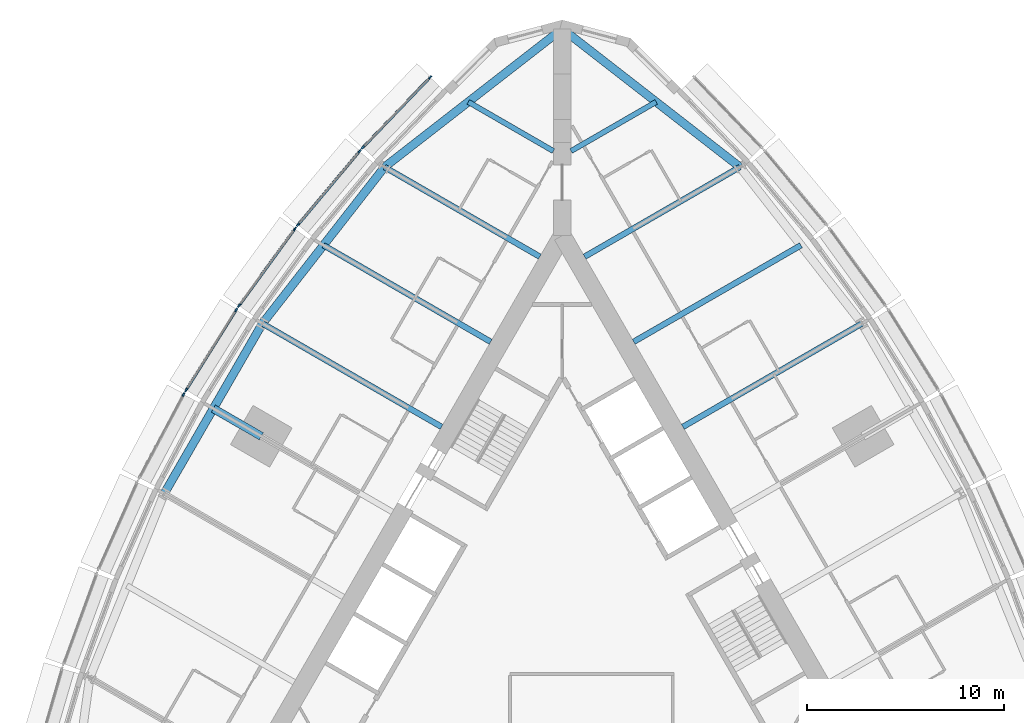
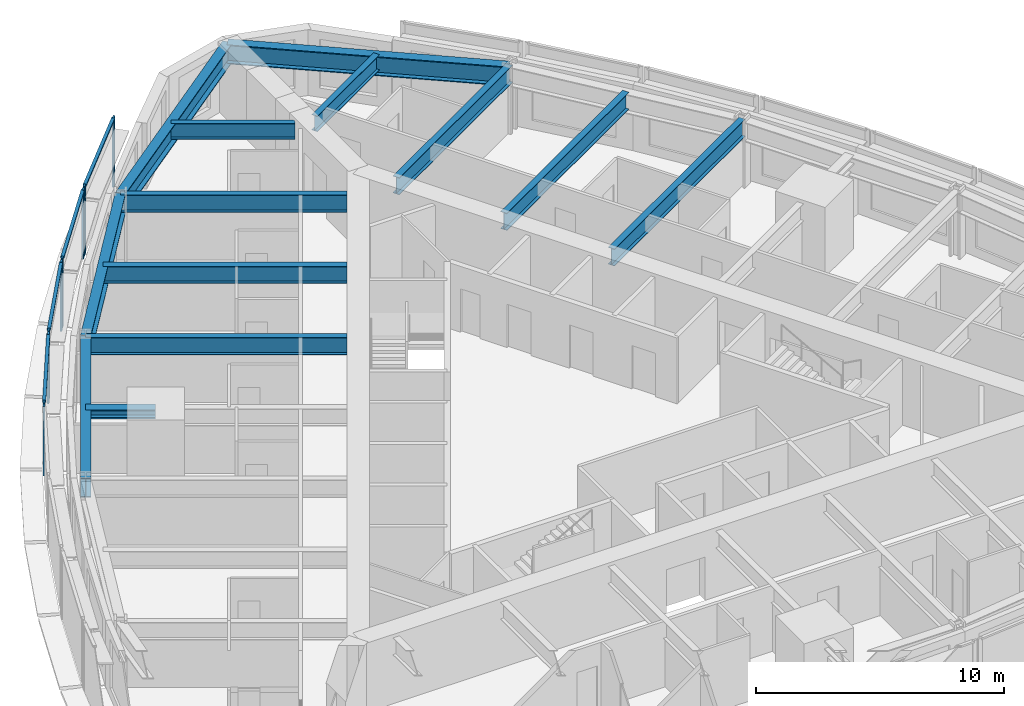
# One storey, part 4 of 14: 13 beams, 13 members, 5 elements without a shape of their own.
"""IFC4 building model written with IfcOpenShell, lengths in metres."""

from ifc_helpers import new_model, si_unit, direction, frame, origin, origin_2d, place, context, subcontext, project, spatial, rectangle, i_section, extrude, material, material_profile, profile_set, type_object, element, aggregate, save


model = new_model("IFC4")

# Units and contexts
model_context = context("Model", 3, precision=1e-05, world=origin(), true_north=direction((0.0, 1.0)))
body_context = subcontext(model_context, "Body", "Model", "MODEL_VIEW")
ifc_project = project(units=[si_unit("LENGTHUNIT", "METRE"), si_unit("AREAUNIT", "SQUARE_METRE"), si_unit("VOLUMEUNIT", "CUBIC_METRE"), si_unit("PLANEANGLEUNIT", "RADIAN"), si_unit("MASSUNIT", "GRAM", prefix="KILO")], contexts=[model_context])

# Site, building, storey
site_placement = place(None, origin())
site = spatial("IfcSite", under=ifc_project, at=site_placement, CompositionType="ELEMENT")
building_placement = place(site_placement, origin())
building = spatial("IfcBuilding", under=site, at=building_placement, Name="Trikona Tower", CompositionType="ELEMENT")
storey_placement = place(building_placement, frame((0.0, 0.0, 131.699951171875)))
storey = spatial("IfcBuildingStorey", under=building, at=storey_placement, Name="L34", CompositionType="ELEMENT", Elevation=131.699951171875)

# Curtain wall, members
ifc_material_1 = material(Name="Aluminium curtain wall system", Category="aluminium")
curtain_wall_type = type_object("IfcCurtainWallType", Name="Curtain wall DS2", PredefinedType="NOTDEFINED", material=ifc_material_1)
curtain_wall_1_placement = place(storey_placement, origin())
curtain_wall_1 = element("IfcCurtainWall", 1, at=curtain_wall_1_placement, inside=storey, type_object=curtain_wall_type, Name="Curtain wall DS2 L34", PredefinedType="NOTDEFINED")
ifc_material_2 = material(Name="Aluminium mullion, pale anodised", Category="aluminium")
ifc_material_profile_1 = material_profile(ifc_material_2, rectangle(XDim=0.080078125, YDim=0.199951171875, at=origin_2d()), Name="MUL-DS2")
ifc_profile_set_1 = profile_set([ifc_material_profile_1], Name="Aluminium mullion, pale anodised")
member_type_1 = type_object("IfcMemberType", Name="Mullion DS2 80x200", PredefinedType="MULLION", material=ifc_profile_set_1)
member_1_placement = place(storey_placement, frame((-6.718994140625, 27.1083984375, 0.0), z_axis=(0.0, 0.0, 1.0), x_axis=(0.722158330767, -0.691727797117, 0.0)))
member_1 = element("IfcMember", 2, at=member_1_placement, type_object=member_type_1, Name="CW-DS2 mullion 1", PredefinedType="MULLION", context=body_context, shape_type="SweptSolid", body=[
    extrude(rectangle(XDim=0.080078125, YDim=0.199951171875, at=origin_2d()), origin(), (0.0, 0.0, 1.0), 3.400146484375),
])
member_2_placement = place(storey_placement, frame((-10.1416015625, 23.535400390625, 0.0), z_axis=(0.0, 0.0, 1.0), x_axis=(0.722158330767, -0.691727797117, 0.0)))
member_2 = element("IfcMember", 3, at=member_2_placement, type_object=member_type_1, Name="CW-DS2 mullion 2", PredefinedType="MULLION", context=body_context, shape_type="SweptSolid", body=[
    extrude(rectangle(XDim=0.080078125, YDim=0.199951171875, at=origin_2d()), origin(), (0.0, 0.0, 1.0), 3.400146484375),
])

curtain_wall_2_placement = place(storey_placement, origin())
curtain_wall_2 = element("IfcCurtainWall", 4, at=curtain_wall_2_placement, inside=storey, type_object=curtain_wall_type, Name="Curtain wall DS2 L34", PredefinedType="NOTDEFINED")
member_3_placement = place(storey_placement, frame((-10.315185546875, 23.34130859375, 0.0), z_axis=(0.0, 0.0, 1.0), x_axis=(0.766866678271, -0.641806433248, 0.0)))
member_3 = element("IfcMember", 5, at=member_3_placement, type_object=member_type_1, Name="CW-DS2 mullion 1", PredefinedType="MULLION", context=body_context, shape_type="SweptSolid", body=[
    extrude(rectangle(XDim=0.080078125, YDim=0.199951171875, at=origin_2d()), origin(), (0.0, 0.0, 1.0), 3.400146484375),
])
member_4_placement = place(storey_placement, frame((-13.44482421875, 19.602294921875, 0.0), z_axis=(0.0, 0.0, 1.0), x_axis=(0.766866678271, -0.641806433248, 0.0)))
member_4 = element("IfcMember", 6, at=member_4_placement, type_object=member_type_1, Name="CW-DS2 mullion 2", PredefinedType="MULLION", context=body_context, shape_type="SweptSolid", body=[
    extrude(rectangle(XDim=0.080078125, YDim=0.199951171875, at=origin_2d()), origin(), (0.0, 0.0, 1.0), 3.400146484375),
])

curtain_wall_3_placement = place(storey_placement, origin())
curtain_wall_3 = element("IfcCurtainWall", 7, at=curtain_wall_3_placement, inside=storey, type_object=curtain_wall_type, Name="Curtain wall DS2 L34", PredefinedType="NOTDEFINED")
member_5_placement = place(storey_placement, frame((-13.605712890625, 19.39599609375, 0.0), z_axis=(0.0, 0.0, 1.0), x_axis=(0.80908576332, -0.587690588313, 0.0)))
member_5 = element("IfcMember", 8, at=member_5_placement, type_object=member_type_1, Name="CW-DS2 mullion 1", PredefinedType="MULLION", context=body_context, shape_type="SweptSolid", body=[
    extrude(rectangle(XDim=0.080078125, YDim=0.199951171875, at=origin_2d()), origin(), (0.0, 0.0, 1.0), 3.400146484375),
])
member_6_placement = place(storey_placement, frame((-16.442626953125, 15.489990234375, 0.0), z_axis=(0.0, 0.0, 1.0), x_axis=(0.80908576332, -0.587690588313, 0.0)))
member_6 = element("IfcMember", 9, at=member_6_placement, type_object=member_type_1, Name="CW-DS2 mullion 2", PredefinedType="MULLION", context=body_context, shape_type="SweptSolid", body=[
    extrude(rectangle(XDim=0.080078125, YDim=0.199951171875, at=origin_2d()), origin(), (0.0, 0.0, 1.0), 3.400146484375),
])

curtain_wall_4_placement = place(storey_placement, origin())
curtain_wall_4 = element("IfcCurtainWall", 10, at=curtain_wall_4_placement, inside=storey, type_object=curtain_wall_type, Name="Curtain wall DS2 L34", PredefinedType="NOTDEFINED")
member_7_placement = place(storey_placement, frame((-16.589599609375, 15.2724609375, 0.0), z_axis=(0.0, 0.0, 1.0), x_axis=(0.847998304006, -0.529998940002, 0.0)))
member_7 = element("IfcMember", 11, at=member_7_placement, type_object=member_type_1, Name="CW-DS2 mullion 1", PredefinedType="MULLION", context=body_context, shape_type="SweptSolid", body=[
    extrude(rectangle(XDim=0.080078125, YDim=0.199951171875, at=origin_2d()), origin(), (0.0, 0.0, 1.0), 3.400146484375),
])
member_8_placement = place(storey_placement, frame((-19.135009765625, 11.199462890625, 0.0), z_axis=(0.0, 0.0, 1.0), x_axis=(0.847998304006, -0.529998940002, 0.0)))
member_8 = element("IfcMember", 12, at=member_8_placement, type_object=member_type_1, Name="CW-DS2 mullion 2", PredefinedType="MULLION", context=body_context, shape_type="SweptSolid", body=[
    extrude(rectangle(XDim=0.080078125, YDim=0.199951171875, at=origin_2d()), origin(), (0.0, 0.0, 1.0), 3.400146484375),
])

# Curtain wall, member
curtain_wall_5_placement = place(storey_placement, origin())
curtain_wall_5 = element("IfcCurtainWall", 13, at=curtain_wall_5_placement, inside=storey, type_object=curtain_wall_type, Name="Curtain wall DS2 L34", PredefinedType="NOTDEFINED")
member_9_placement = place(storey_placement, frame((-19.2666015625, 10.9716796875, 0.0), z_axis=(0.0, 0.0, 1.0), x_axis=(0.882996107343, -0.469380308937, 0.0)))
member_9 = element("IfcMember", 14, at=member_9_placement, type_object=member_type_1, Name="CW-DS2 mullion 1", PredefinedType="MULLION", context=body_context, shape_type="SweptSolid", body=[
    extrude(rectangle(XDim=0.080078125, YDim=0.199951171875, at=origin_2d()), origin(), (0.0, 0.0, 1.0), 3.400146484375),
])
aggregate(curtain_wall_5, [member_9])

# Beams
ifc_material_3 = material(Name="Steel ASTM A992 Grade 50", Category="steel")
ifc_material_profile_2 = material_profile(ifc_material_3, i_section(OverallWidth=0.419189453125, OverallDepth=0.45458984375, WebThickness=0.042236328125, FlangeThickness=0.067626953125, at=origin_2d()), Name="W14X370")
ifc_profile_set_2 = profile_set([ifc_material_profile_2], Name="Steel ASTM A992 Grade 50")
beam_type_1 = type_object("IfcBeamType", Name="Steel beam W14x370 (apex bracket)", PredefinedType="BEAM", material=ifc_profile_set_2)
beam_1_placement = place(storey_placement, frame((-15.311767578125, 8.84033203125, 3.0078125), z_axis=(-0.86605005072, 0.499957307824, 0.0), x_axis=(-0.499957307824, -0.86605005072, 0.0)))
element("IfcBeam", 15, at=beam_1_placement, inside=storey, type_object=beam_type_1, Name="Cantilever bracket L35 F3", PredefinedType="BEAM", context=body_context, shape_type="SweptSolid", body=[
    extrude(i_section(OverallWidth=0.419189453125, OverallDepth=0.45458984375, WebThickness=0.042236328125, FlangeThickness=0.067626953125, at=origin_2d()), origin(), (0.0, 0.0, 1.0), 2.819580078125),
])
ifc_material_4 = material(Name="Steel ASTM A992 Grade 50", Category="steel")
ifc_material_profile_3 = material_profile(ifc_material_4, i_section(OverallWidth=0.2666015625, OverallDepth=0.76953125, WebThickness=0.015625, FlangeThickness=0.025390625, at=origin_2d()), Name="W30X132")
ifc_profile_set_3 = profile_set([ifc_material_profile_3], Name="Steel ASTM A992 Grade 50")
beam_type_2 = type_object("IfcBeamType", Name="Steel beam W30x132 (wedge)", PredefinedType="BEAM", material=ifc_profile_set_3)
for number, where, z_axis, x_axis, name in (
    (16, (0.449951171875, 23.353759765625, 2.850341796875), (0.866038434829, 0.49997742889, 0.0), (-0.49997742889, 0.866038434829, 0.0), "Floor beam L35 F2 u20"),
    (17, (-0.449951171875, 23.353759765625, 2.850341796875), (-0.866038434829, 0.49997742889, 0.0), (-0.49997742889, -0.866038434829, 0.0), "Floor beam L35 F3 u-20"),
):
    element("IfcBeam", number, at=place(storey_placement, frame(where, z_axis=z_axis, x_axis=x_axis)), inside=storey, type_object=beam_type_2, Name=name, PredefinedType="BEAM", context=body_context, shape_type="SweptSolid", body=[
        extrude(i_section(OverallWidth=0.2666015625, OverallDepth=0.76953125, WebThickness=0.015625, FlangeThickness=0.025390625, at=origin_2d()), origin(), (0.0, 0.0, 1.0), 5.000732421875),
    ])
ifc_material_5 = material(Name="Steel ASTM A992 Grade 50", Category="steel")
ifc_material_profile_4 = material_profile(ifc_material_5, i_section(OverallWidth=0.2919921875, OverallDepth=0.845703125, WebThickness=0.015380859375, FlangeThickness=0.0244140625, at=origin_2d()), Name="W33X141")
ifc_profile_set_4 = profile_set([ifc_material_profile_4], Name="Steel ASTM A992 Grade 50")
beam_type_3 = type_object("IfcBeamType", Name="Steel beam W33x141 (radial typ)", PredefinedType="BEAM", material=ifc_profile_set_4)
beam_2_placement = place(storey_placement, frame((6.1396484375, 9.318359375, 2.812255859375), z_axis=(0.866036080828, 0.499981506362, 0.0), x_axis=(-0.499981506362, 0.866036080828, 0.0)))
element("IfcBeam", 18, at=beam_2_placement, inside=storey, type_object=beam_type_3, Name="Floor beam L35 F2 u5", PredefinedType="BEAM", context=body_context, shape_type="SweptSolid", body=[
    extrude(i_section(OverallWidth=0.2919921875, OverallDepth=0.845703125, WebThickness=0.015380859375, FlangeThickness=0.0244140625, at=origin_2d()), origin(), (0.0, 0.0, 1.0), 10.52392578125),
])
beam_3_placement = place(storey_placement, frame((3.6396484375, 13.6484375, 2.812255859375), z_axis=(0.866030807744, 0.499990639951, 0.0), x_axis=(-0.499990639951, 0.866030807744, 0.0)))
element("IfcBeam", 19, at=beam_3_placement, inside=storey, type_object=beam_type_3, Name="Floor beam L35 F2 u10", PredefinedType="BEAM", context=body_context, shape_type="SweptSolid", body=[
    extrude(i_section(OverallWidth=0.2919921875, OverallDepth=0.845703125, WebThickness=0.015380859375, FlangeThickness=0.0244140625, at=origin_2d()), origin(), (0.0, 0.0, 1.0), 9.823974609375),
])
for number, where, z_axis, x_axis, name in (
    (20, (1.1396484375, 17.978515625, 2.812255859375), (0.866024725532, 0.500001174766, 0.0), (-0.500001174766, 0.866024725532, 0.0), "Floor beam L35 F2 u15"),
    (21, (-1.1396484375, 17.978515625, 2.812255859375), (-0.866024725532, 0.500001174766, 0.0), (-0.500001174766, -0.866024725532, 0.0), "Floor beam L35 F3 u-15"),
):
    element("IfcBeam", number, at=place(storey_placement, frame(where, z_axis=z_axis, x_axis=x_axis)), inside=storey, type_object=beam_type_3, Name=name, PredefinedType="BEAM", context=body_context, shape_type="SweptSolid", body=[
        extrude(i_section(OverallWidth=0.2919921875, OverallDepth=0.845703125, WebThickness=0.015380859375, FlangeThickness=0.0244140625, at=origin_2d()), origin(), (0.0, 0.0, 1.0), 9.1240234375),
    ])
beam_4_placement = place(storey_placement, frame((-3.6396484375, 13.6484375, 2.812255859375), z_axis=(-0.866030807744, 0.499990639951, 0.0), x_axis=(-0.499990639951, -0.866030807744, 0.0)))
element("IfcBeam", 22, at=beam_4_placement, inside=storey, type_object=beam_type_3, Name="Floor beam L35 F3 u-10", PredefinedType="BEAM", context=body_context, shape_type="SweptSolid", body=[
    extrude(i_section(OverallWidth=0.2919921875, OverallDepth=0.845703125, WebThickness=0.015380859375, FlangeThickness=0.0244140625, at=origin_2d()), origin(), (0.0, 0.0, 1.0), 9.823974609375),
])
beam_5_placement = place(storey_placement, frame((-6.1396484375, 9.318359375, 2.812255859375), z_axis=(-0.866036080828, 0.499981506362, 0.0), x_axis=(-0.499981506362, -0.866036080828, 0.0)))
element("IfcBeam", 23, at=beam_5_placement, inside=storey, type_object=beam_type_3, Name="Floor beam L35 F3 u-5", PredefinedType="BEAM", context=body_context, shape_type="SweptSolid", body=[
    extrude(i_section(OverallWidth=0.2919921875, OverallDepth=0.845703125, WebThickness=0.015380859375, FlangeThickness=0.0244140625, at=origin_2d()), origin(), (0.0, 0.0, 1.0), 10.52392578125),
])
ifc_material_6 = material(Name="Steel ASTM A992 Grade 50", Category="steel")
ifc_material_profile_5 = material_profile(ifc_material_6, i_section(OverallWidth=0.424072265625, OverallDepth=0.947509765625, WebThickness=0.02392578125, FlangeThickness=0.042724609375, at=origin_2d()), Name="W36X302")
ifc_profile_set_5 = profile_set([ifc_material_profile_5], Name="Steel ASTM A992 Grade 50")
beam_type_4 = type_object("IfcBeamType", Name="Steel beam W36x302 (spandrel)", PredefinedType="SPANDREL", material=ifc_profile_set_5)
for number, where, z_axis, x_axis, name in (
    (24, (9.041259765625, 22.54052734375, 2.76123046875), (-0.789367137808, 0.613921429621, 0.0), (-0.613921429621, -0.789367137808, 0.0), "Spandrel beam L35 F2-5"),
    (25, (0.0, 29.572265625, 2.76123046875), (-0.789367137808, -0.613921429621, 0.0), (0.613921429621, -0.789367137808, 0.0), "Spandrel beam L35 F3-1"),
):
    element("IfcBeam", number, at=place(storey_placement, frame(where, z_axis=z_axis, x_axis=x_axis)), inside=storey, type_object=beam_type_4, Name=name, PredefinedType="SPANDREL", context=body_context, shape_type="SweptSolid", body=[
        extrude(i_section(OverallWidth=0.424072265625, OverallDepth=0.947509765625, WebThickness=0.02392578125, FlangeThickness=0.042724609375, at=origin_2d()), origin(), (0.0, 0.0, 1.0), 11.453857421875),
    ])
beam_6_placement = place(storey_placement, frame((-9.041259765625, 22.54052734375, 2.76123046875), z_axis=(-0.615232009054, -0.788346101046, 0.0), x_axis=(0.788346101046, -0.615232009054, 0.0)))
element("IfcBeam", 26, at=beam_6_placement, inside=storey, type_object=beam_type_4, Name="Spandrel beam L35 F3-2", PredefinedType="SPANDREL", context=body_context, shape_type="SweptSolid", body=[
    extrude(i_section(OverallWidth=0.424072265625, OverallDepth=0.947509765625, WebThickness=0.02392578125, FlangeThickness=0.042724609375, at=origin_2d()), origin(), (0.0, 0.0, 1.0), 10.09765625),
])
beam_7_placement = place(storey_placement, frame((-15.253662109375, 14.580078125, 2.76123046875), z_axis=(-0.500004234368, -0.866022959057, 0.0), x_axis=(0.866022959057, -0.500004234368, 0.0)))
element("IfcBeam", 27, at=beam_7_placement, inside=storey, type_object=beam_type_4, Name="Spandrel beam L35 F3-3", PredefinedType="SPANDREL", context=body_context, shape_type="SweptSolid", body=[
    extrude(i_section(OverallWidth=0.424072265625, OverallDepth=0.947509765625, WebThickness=0.02392578125, FlangeThickness=0.042724609375, at=origin_2d()), origin(), (0.0, 0.0, 1.0), 10.0),
])

# Member
ifc_material_7 = material(Name="Aluminium transom, pale anodised", Category="aluminium")
ifc_material_profile_6 = material_profile(ifc_material_7, rectangle(XDim=0.139892578125, YDim=0.080078125, at=origin_2d()), Name="TRN-DS2")
ifc_profile_set_6 = profile_set([ifc_material_profile_6], Name="Aluminium transom, pale anodised")
member_type_2 = type_object("IfcMemberType", Name="Transom DS2 80x140", PredefinedType="USERDEFINED", material=ifc_profile_set_6)
member_10_placement = place(storey_placement, frame((-6.746826171875, 27.07958984375, 3.360107421875), z_axis=(-0.691721246785, -0.722164605022, 0.0), x_axis=(0.722164605022, -0.691721246785, 0.0)))
member_10 = element("IfcMember", 28, at=member_10_placement, type_object=member_type_2, Name="CW-DS2 transom 1.1", ObjectType="TRANSOM", PredefinedType="USERDEFINED", context=body_context, shape_type="SweptSolid", body=[
    extrude(rectangle(XDim=0.139892578125, YDim=0.080078125, at=origin_2d()), origin(), (0.0, 0.0, 1.0), 4.867919921875),
])

aggregate(curtain_wall_1, [member_1, member_2, member_10])

member_11_placement = place(storey_placement, frame((-10.341064453125, 23.310791015625, 3.360107421875), z_axis=(-0.641770294892, -0.766896921753, 0.0), x_axis=(0.766896921753, -0.641770294892, 0.0)))
member_11 = element("IfcMember", 29, at=member_11_placement, type_object=member_type_2, Name="CW-DS2 transom 1.1", ObjectType="TRANSOM", PredefinedType="USERDEFINED", context=body_context, shape_type="SweptSolid", body=[
    extrude(rectangle(XDim=0.139892578125, YDim=0.080078125, at=origin_2d()), origin(), (0.0, 0.0, 1.0), 4.7958984375),
])

aggregate(curtain_wall_2, [member_3, member_4, member_11])

member_12_placement = place(storey_placement, frame((-13.629150390625, 19.363525390625, 3.360107421875), z_axis=(-0.587694585883, -0.809082859616, 0.0), x_axis=(0.809082859616, -0.587694585883, 0.0)))
member_12 = element("IfcMember", 30, at=member_12_placement, type_object=member_type_2, Name="CW-DS2 transom 1.1", ObjectType="TRANSOM", PredefinedType="USERDEFINED", context=body_context, shape_type="SweptSolid", body=[
    extrude(rectangle(XDim=0.139892578125, YDim=0.080078125, at=origin_2d()), origin(), (0.0, 0.0, 1.0), 4.747314453125),
])

aggregate(curtain_wall_3, [member_5, member_6, member_12])

member_13_placement = place(storey_placement, frame((-16.610595703125, 15.238525390625, 3.360107421875), z_axis=(-0.530031463794, -0.847977975769, 0.0), x_axis=(0.847977975769, -0.530031463794, 0.0)))
member_13 = element("IfcMember", 31, at=member_13_placement, type_object=member_type_2, Name="CW-DS2 transom 1.1", ObjectType="TRANSOM", PredefinedType="USERDEFINED", context=body_context, shape_type="SweptSolid", body=[
    extrude(rectangle(XDim=0.139892578125, YDim=0.080078125, at=origin_2d()), origin(), (0.0, 0.0, 1.0), 4.72314453125),
])

aggregate(curtain_wall_4, [member_7, member_8, member_13])

save(model, "model.ifc")
